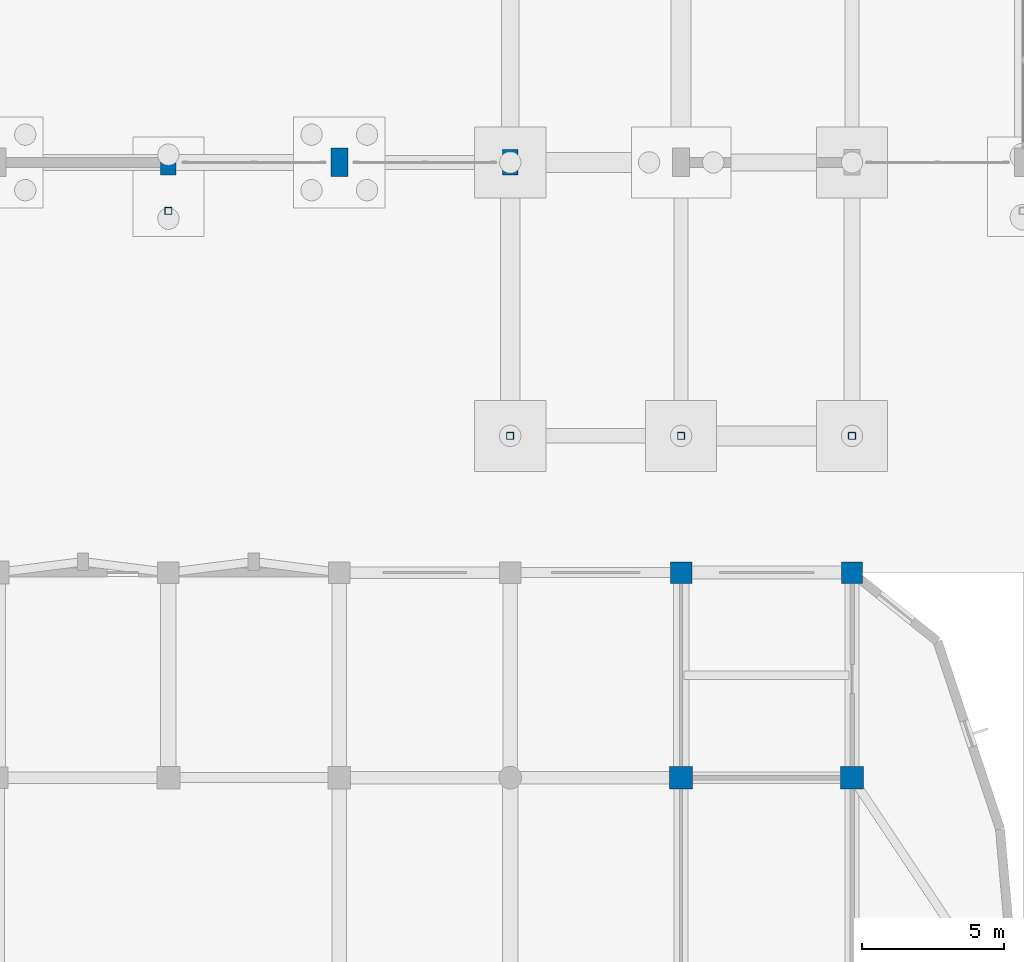
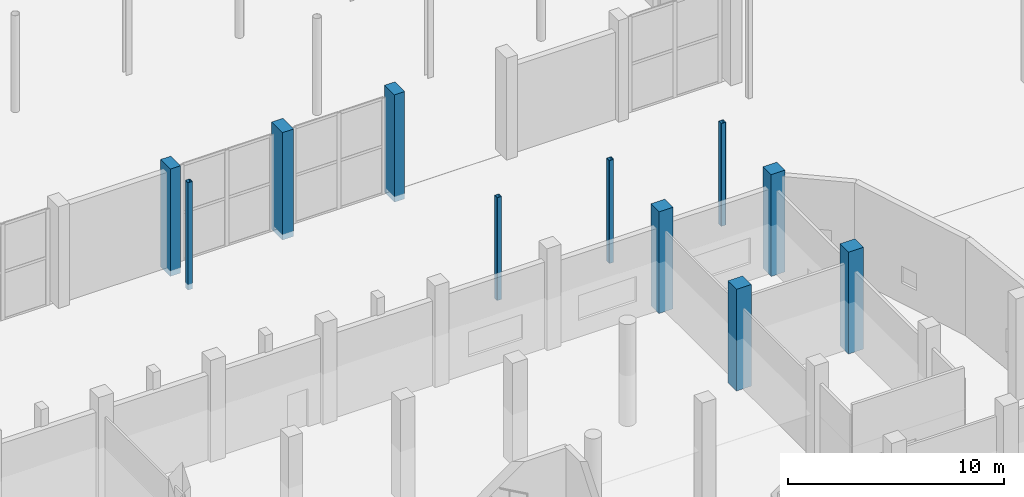
# One storey, part 19 of 103: 11 columns.
"""IFC4 building model written with IfcOpenShell, lengths in metres."""

from ifc_helpers import new_model, si_unit, direction, frame, origin, origin_2d, place, context, subcontext, project, spatial, rectangle, hollow_rectangle, extrude, material, material_profile, profile_set, type_object, element, save


model = new_model("IFC4")

# Units and contexts
model_context = context("Model", 3, precision=1e-05, world=origin(), true_north=direction((0.0, 1.0)))
body_context = subcontext(model_context, "Body", "Model", "MODEL_VIEW")
ifc_project = project(units=[si_unit("LENGTHUNIT", "METRE"), si_unit("AREAUNIT", "SQUARE_METRE"), si_unit("VOLUMEUNIT", "CUBIC_METRE"), si_unit("PLANEANGLEUNIT", "RADIAN"), si_unit("MASSUNIT", "GRAM", prefix="KILO")], contexts=[model_context])

# Site, building, storey
site_placement = place(None, origin())
site = spatial("IfcSite", under=ifc_project, at=site_placement, CompositionType="ELEMENT")
building_placement = place(site_placement, origin())
building = spatial("IfcBuilding", under=site, at=building_placement, Name="Dunvalen Ferry Terminal", CompositionType="ELEMENT")
storey_placement = place(building_placement, origin())
storey = spatial("IfcBuildingStorey", under=building, at=storey_placement, Name="L00", CompositionType="ELEMENT", Elevation=0.0)

# Columns
ifc_material_1 = material(Name="Concrete C40/50", Category="concrete")
ifc_material_profile_1 = material_profile(ifc_material_1, rectangle(XDim=0.60009765625, YDim=1.0, at=origin_2d()), Name="Concrete C40/50")
ifc_profile_set_1 = profile_set([ifc_material_profile_1], Name="Concrete C40/50")
column_type_1 = type_object("IfcColumnType", Name="STR-COL-PIER1000", PredefinedType="COLUMN", material=ifc_profile_set_1)
column_1_placement = place(storey_placement, frame((72.0, 50.39990234375, -0.320068359375), z_axis=(0.0, 0.0, 1.0), x_axis=(1.0, 0.0, 0.0)))
element("IfcColumn", 1, at=column_1_placement, inside=storey, type_object=column_type_1, Name="L00 Departure Hall Perimeter Pier 11", PredefinedType="COLUMN", context=body_context, shape_type="SweptSolid", body=[
    extrude(rectangle(XDim=0.60009765625, YDim=1.0, at=origin_2d()), origin(), (0.0, 0.0, 1.0), 6.080078125),
])
ifc_material_profile_2 = material_profile(ifc_material_1, rectangle(XDim=0.550048828125, YDim=0.89990234375, at=origin_2d()), Name="Concrete C40/50")
ifc_profile_set_2 = profile_set([ifc_material_profile_2], Name="Concrete C40/50")
column_type_2 = type_object("IfcColumnType", Name="STR-COL-PIER900", PredefinedType="COLUMN", material=ifc_profile_set_2)
for number, where, z_axis, x_axis, name in (
    (2, (66.0, 50.39990234375, -0.320068359375), (0.0, 0.0, 1.0), (1.0, 0.0, 0.0), "L00 Departure Hall Perimeter Pier 10"),
    (3, (78.0, 50.39990234375, -0.320068359375), (0.0, 0.0, 1.0), (1.0, 0.0, 0.0), "L00 Departure Hall Perimeter Pier 12"),
):
    element("IfcColumn", number, at=place(storey_placement, frame(where, z_axis=z_axis, x_axis=x_axis)), inside=storey, type_object=column_type_2, Name=name, PredefinedType="COLUMN", context=body_context, shape_type="SweptSolid", body=[
        extrude(rectangle(XDim=0.550048828125, YDim=0.89990234375, at=origin_2d()), origin(), (0.0, 0.0, 1.0), 6.080078125),
    ])
ifc_material_profile_3 = material_profile(ifc_material_1, rectangle(XDim=0.75, YDim=0.75, at=origin_2d()), Name="Concrete C40/50")
ifc_profile_set_3 = profile_set([ifc_material_profile_3], Name="Concrete C40/50")
column_type_3 = type_object("IfcColumnType", Name="STR-COL-RC750", PredefinedType="COLUMN", material=ifc_profile_set_3)
for number, where, z_axis, x_axis, name in (
    (4, (84.0, 36.0, 0.0), (0.0, 0.0, 1.0), (1.0, 0.0, 0.0), "L00 Maritime Wing Column 077"),
    (5, (90.0, 36.0, 0.0), (0.0, 0.0, 1.0), (1.0, 0.0, 0.0), "L00 Maritime Wing Column 083"),
):
    element("IfcColumn", number, at=place(storey_placement, frame(where, z_axis=z_axis, x_axis=x_axis)), inside=storey, type_object=column_type_3, Name=name, PredefinedType="COLUMN", context=body_context, shape_type="SweptSolid", body=[
        extrude(rectangle(XDim=0.75, YDim=0.75, at=origin_2d()), origin(), (0.0, 0.0, 1.0), 5.760009765625),
    ])
ifc_material_profile_4 = material_profile(ifc_material_1, rectangle(XDim=0.800048828125, YDim=0.800048828125, at=origin_2d()), Name="Concrete C40/50")
ifc_profile_set_4 = profile_set([ifc_material_profile_4], Name="Concrete C40/50")
column_type_4 = type_object("IfcColumnType", Name="STR-COL-RC800", PredefinedType="COLUMN", material=ifc_profile_set_4)
for number, where, z_axis, x_axis, name in (
    (6, (84.0, 28.800048828125, 0.0), (0.0, 0.0, 1.0), (1.0, 0.0, 0.0), "L00 Maritime Wing Column 076"),
    (7, (90.0, 28.800048828125, 0.0), (0.0, 0.0, 1.0), (1.0, 0.0, 0.0), "L00 Maritime Wing Column 082"),
):
    element("IfcColumn", number, at=place(storey_placement, frame(where, z_axis=z_axis, x_axis=x_axis)), inside=storey, type_object=column_type_4, Name=name, PredefinedType="COLUMN", context=body_context, shape_type="SweptSolid", body=[
        extrude(rectangle(XDim=0.800048828125, YDim=0.800048828125, at=origin_2d()), origin(), (0.0, 0.0, 1.0), 5.760009765625),
    ])
ifc_material_2 = material(Name="Steel S355", Category="steel")
ifc_material_profile_5 = material_profile(ifc_material_2, hollow_rectangle(XDim=0.25, YDim=0.25, WallThickness=0.010009765625, InnerFilletRadius=0.010009765625, OuterFilletRadius=0.02001953125, at=origin_2d()), Name="Steel S355")
ifc_profile_set_5 = profile_set([ifc_material_profile_5], Name="Steel S355")
column_type_5 = type_object("IfcColumnType", Name="STR-COL-SHS250", PredefinedType="COLUMN", material=ifc_profile_set_5)
column_2_placement = place(storey_placement, frame((66.0, 48.699951171875, -0.320068359375), z_axis=(0.0, 0.0, 1.0), x_axis=(1.0, 0.0, 0.0)))
element("IfcColumn", 8, at=column_2_placement, inside=storey, type_object=column_type_5, Name="L00 Eave Colonnade Post 5", PredefinedType="COLUMN", context=body_context, shape_type="SweptSolid", body=[
    extrude(hollow_rectangle(XDim=0.25, YDim=0.25, WallThickness=0.010009765625, InnerFilletRadius=0.010009765625, OuterFilletRadius=0.02001953125, at=origin_2d()), origin(), (0.0, 0.0, 1.0), 6.080078125),
])
for number, where, z_axis, x_axis, name in (
    (9, (78.0, 40.800048828125, -0.320068359375), (0.0, 0.0, 1.0), (1.0, 0.0, 0.0), "L00 Link Bridge LNK51 Column 1"),
    (10, (84.0, 40.800048828125, -0.320068359375), (0.0, 0.0, 1.0), (1.0, 0.0, 0.0), "L00 Link Bridge LNK51 Column 2"),
    (11, (90.0, 40.800048828125, -0.320068359375), (0.0, 0.0, 1.0), (1.0, 0.0, 0.0), "L00 Link Bridge LNK51 Column 3"),
):
    element("IfcColumn", number, at=place(storey_placement, frame(where, z_axis=z_axis, x_axis=x_axis)), inside=storey, type_object=column_type_5, Name=name, PredefinedType="COLUMN", context=body_context, shape_type="SweptSolid", body=[
        extrude(hollow_rectangle(XDim=0.25, YDim=0.25, WallThickness=0.010009765625, InnerFilletRadius=0.010009765625, OuterFilletRadius=0.02001953125, at=origin_2d()), origin(), (0.0, 0.0, 1.0), 5.820068359375),
    ])

save(model, "model.ifc")
